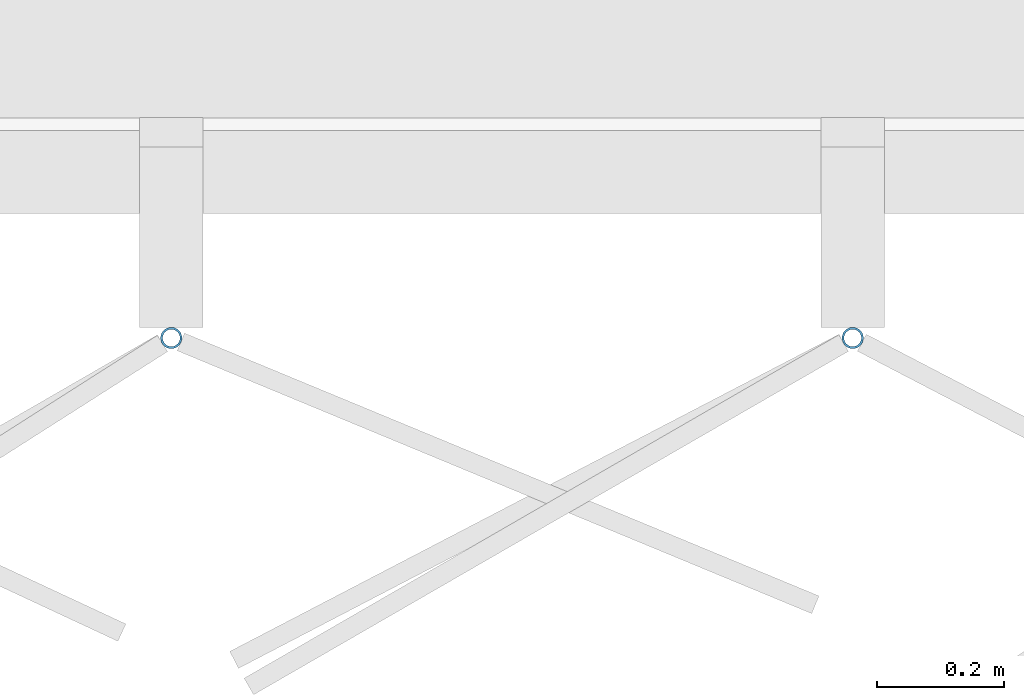
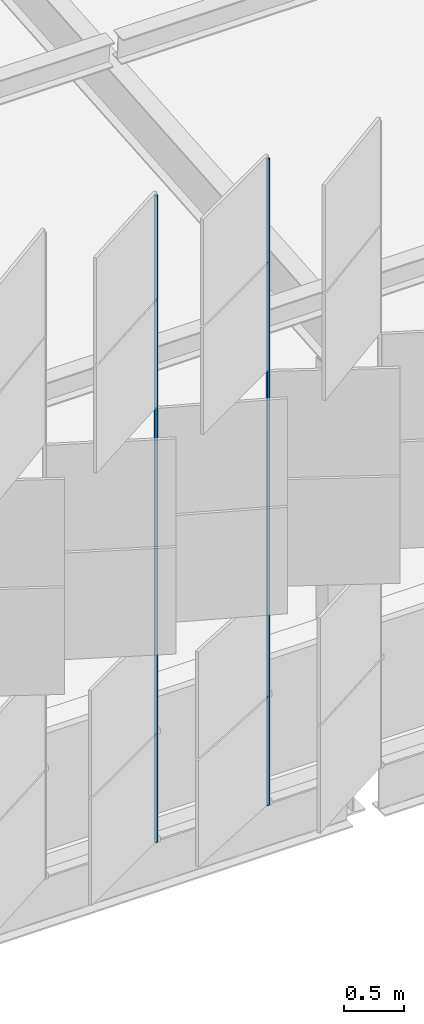
# One storey, part 148 of 483: 2 discrete accessories.
"""IFC4 building model written with IfcOpenShell, lengths in metres."""

from ifc_helpers import new_model, si_unit, direction, frame, origin, origin_2d, place, context, subcontext, project, spatial, hollow_circle, extrude, material, material_profile, profile_set, type_object, element, save


model = new_model("IFC4")

# Units and contexts
model_context = context("Model", 3, precision=1e-05, world=origin(), true_north=direction((0.0, 1.0)))
body_context = subcontext(model_context, "Body", "Model", "MODEL_VIEW")
ifc_project = project(units=[si_unit("LENGTHUNIT", "METRE"), si_unit("AREAUNIT", "SQUARE_METRE"), si_unit("VOLUMEUNIT", "CUBIC_METRE"), si_unit("PLANEANGLEUNIT", "RADIAN"), si_unit("MASSUNIT", "GRAM", prefix="KILO")], contexts=[model_context])

# Site, building, storey
site_placement = place(None, origin())
site = spatial("IfcSite", under=ifc_project, at=site_placement, CompositionType="ELEMENT")
building_placement = place(site_placement, origin())
building = spatial("IfcBuilding", under=site, at=building_placement, Name="Parallax Yard Mobility Hub", CompositionType="ELEMENT")
storey_placement = place(building_placement, frame((0.0, 0.0, 13.199951171875)))
storey = spatial("IfcBuildingStorey", under=building, at=storey_placement, Name="L04", CompositionType="ELEMENT", Elevation=13.199951171875)

# Discrete accessories
ifc_material = material(Name="Steel ASTM A500 Gr C, hot-dip galvanised", Category="steel")
ifc_material_profile = material_profile(ifc_material, hollow_circle(Radius=0.016845703125, WallThickness=0.003173828125, at=origin_2d()), Name="CHS 33.7x3.2")
ifc_profile_set = profile_set([ifc_material_profile], Name="Steel ASTM A500 Gr C, hot-dip galvanised")
discrete_accessory_type = type_object("IfcDiscreteAccessoryType", Name="Hinge post CHS 33.7x3.2", PredefinedType="BRACKET", material=ifc_profile_set)
for number, where, z_axis, x_axis, name in (
    (1, (102.847412109375, 112.199951171875, 0.0), (0.0, 0.0, 1.0), (1.0, 0.0, 0.0), "Hinge post bay 9.6 level L04"),
    (2, (103.9189453125, 112.199951171875, 0.0), (0.0, 0.0, 1.0), (1.0, 0.0, 0.0), "Hinge post bay 9.7 level L04"),
):
    element("IfcDiscreteAccessory", number, at=place(storey_placement, frame(where, z_axis=z_axis, x_axis=x_axis)), inside=storey, type_object=discrete_accessory_type, Name=name, PredefinedType="BRACKET", context=body_context, shape_type="SweptSolid", body=[
        extrude(hollow_circle(Radius=0.016845703125, WallThickness=0.003173828125, at=origin_2d()), origin(), (0.0, 0.0, 1.0), 6.550048828125),
    ])

save(model, "model.ifc")
